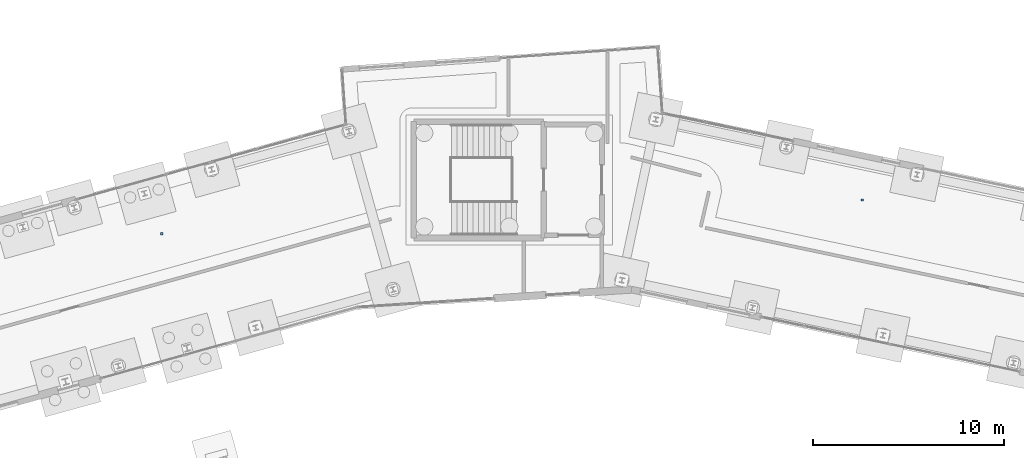
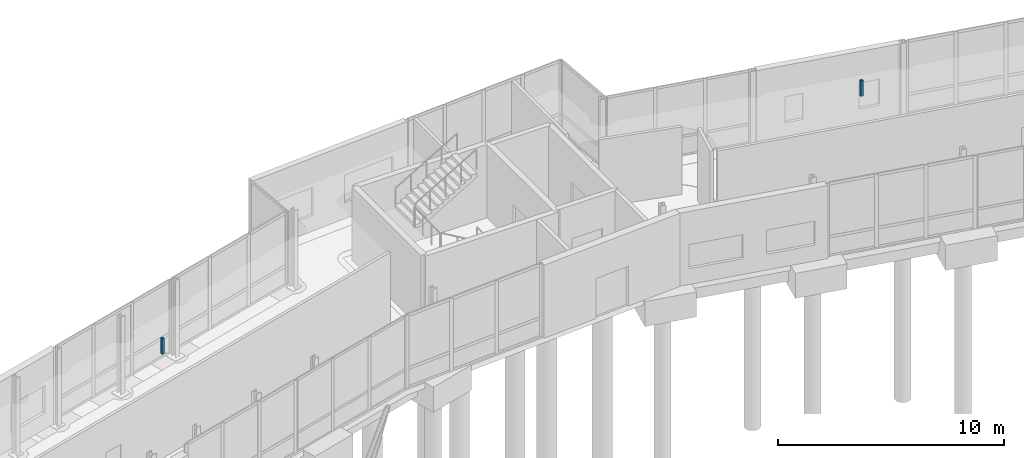
# One storey, part 100 of 113: 2 discrete accessories.
"""IFC4 building model written with IfcOpenShell, lengths in metres."""

from ifc_helpers import new_model, si_unit, direction, frame, origin, origin_2d, place, context, subcontext, project, spatial, rectangle, extrude, material, type_object, element, save


model = new_model("IFC4")

# Units and contexts
model_context = context("Model", 3, precision=1e-05, world=origin(), true_north=direction((0.0, 1.0)))
body_context = subcontext(model_context, "Body", "Model", "MODEL_VIEW")
ifc_project = project(units=[si_unit("LENGTHUNIT", "METRE"), si_unit("AREAUNIT", "SQUARE_METRE"), si_unit("VOLUMEUNIT", "CUBIC_METRE"), si_unit("PLANEANGLEUNIT", "RADIAN"), si_unit("MASSUNIT", "GRAM", prefix="KILO")], contexts=[model_context])

# Site, building, storey
site_placement = place(None, origin())
site = spatial("IfcSite", under=ifc_project, at=site_placement, CompositionType="ELEMENT")
building_placement = place(site_placement, origin())
building = spatial("IfcBuilding", under=site, at=building_placement, Name="Wrenclough Park School", CompositionType="ELEMENT")
storey_placement = place(building_placement, origin())
storey = spatial("IfcBuildingStorey", under=building, at=storey_placement, Name="L00", CompositionType="ELEMENT", Elevation=0.0)

# Discrete accessories
ifc_material = material(Name="Galvanised steel acoustic ceiling suspension hanger", Category="steel")
discrete_accessory_type = type_object("IfcDiscreteAccessoryType", Name="INT-BRK-HGR", PredefinedType="BRACKET", material=ifc_material)
discrete_accessory_1_placement = place(storey_placement, frame((75.858642578125, 36.284423828125, 3.08984375), z_axis=(0.0, 0.0, 1.0), x_axis=(1.0, 0.0, 0.0)))
element("IfcDiscreteAccessory", 1, at=discrete_accessory_1_placement, inside=storey, type_object=discrete_accessory_type, Name="Acoustic ceiling hanger bracket 0013", PredefinedType="BRACKET", context=body_context, shape_type="SweptSolid", body=[
    extrude(rectangle(XDim=0.1201171875, YDim=0.1201171875, at=origin_2d()), origin(), (0.0, 0.0, 1.0), 0.864990234375),
])
discrete_accessory_2_placement = place(storey_placement, frame((112.52587890625, 38.04345703125, 3.08984375), z_axis=(0.0, 0.0, 1.0), x_axis=(1.0, 0.0, 0.0)))
element("IfcDiscreteAccessory", 2, at=discrete_accessory_2_placement, inside=storey, type_object=discrete_accessory_type, Name="Acoustic ceiling hanger bracket 0014", PredefinedType="BRACKET", context=body_context, shape_type="SweptSolid", body=[
    extrude(rectangle(XDim=0.1201171875, YDim=0.1201171875, at=origin_2d()), origin(), (0.0, 0.0, 1.0), 0.85009765625),
])

save(model, "model.ifc")
